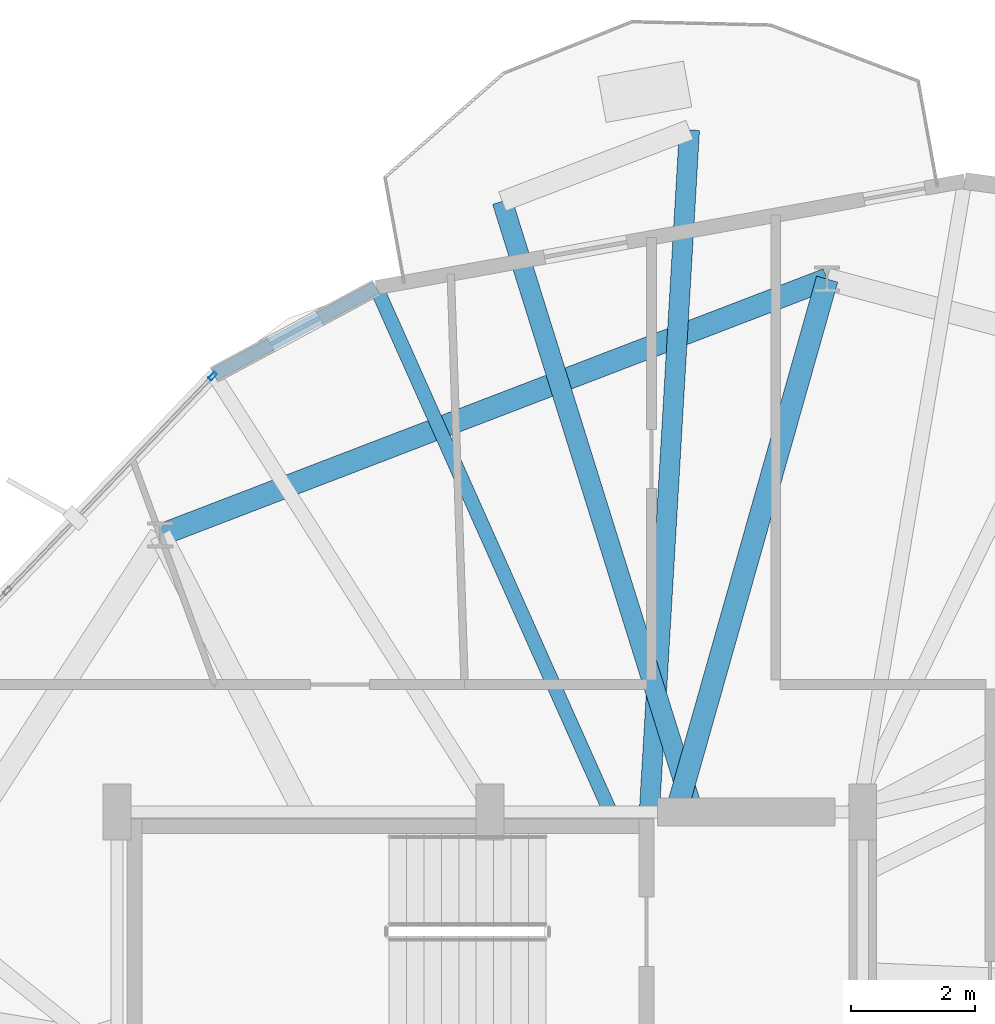
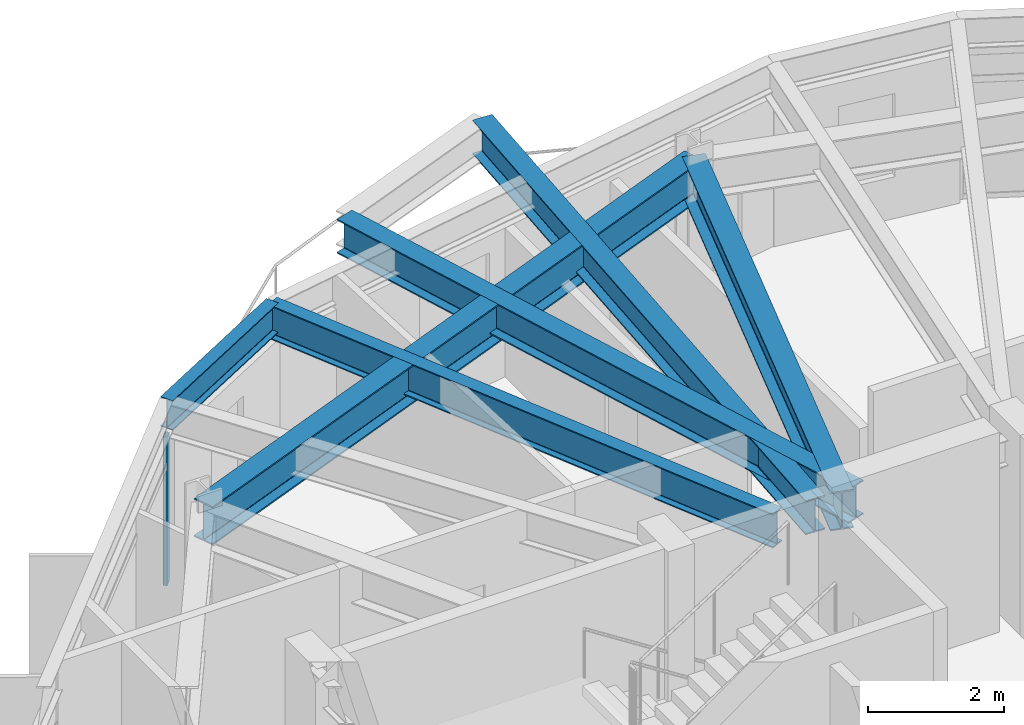
# One storey, part 17 of 27: 6 beams, 1 member, 1 element without a shape of its own.
"""IFC4 building model written with IfcOpenShell, lengths in metres."""

import ifcopenshell
import ifcopenshell.guid

model = None  # the IFC model being written
_history = None  # IfcOwnerHistory: only IFC2X3 demands one
_inside = {}  # id of a spatial element -> (the spatial element, [elements in it])
_under = {}  # id of a project, library or spatial element -> (it, [spatial elements below it])
_declared = {}  # id of a project -> (the project, [libraries it declares])
_typed = {}  # id of a type object -> (the type object, [elements of that type])
_made_of = {}  # id of a material, layer set ... -> (it, [elements and type objects made of it])


def new_model(schema):
    """Start an empty IFC model of exactly this schema.

    Asked for "IFC4X3", IfcOpenShell would pick the latest addendum, in which some entities
    have other attributes; the version numbers below select the first issue.
    IFC2X3 requires an IfcOwnerHistory on every rooted entity: one is made here for all.
    """
    global model, _history
    if schema == "IFC4X3":
        model = ifcopenshell.file(schema_version=(4, 3, 0, 0))
    else:
        model = ifcopenshell.file(schema=schema)
    _inside.clear()
    _under.clear()
    _declared.clear()
    _typed.clear()
    _made_of.clear()
    _history = None
    if model.schema == "IFC2X3":
        org = make("IfcOrganization", Name="unknown")
        user = make(
            "IfcPersonAndOrganization",
            ThePerson=make("IfcPerson", FamilyName="unknown"),
            TheOrganization=org,
        )
        app = make(
            "IfcApplication",
            ApplicationDeveloper=org,
            Version="unknown",
            ApplicationFullName="unknown",
            ApplicationIdentifier="unknown",
        )
        _history = make(
            "IfcOwnerHistory",
            OwningUser=user,
            OwningApplication=app,
            ChangeAction="ADDED",
            CreationDate=0,
        )
    return model


def make(cls, **values):
    """One entity of the class cls with the attributes given. An attribute that is None is left unset."""
    return model.create_entity(
        cls, **{name: value for name, value in values.items() if value is not None}
    )


def rooted(cls, **values):
    """An entity with a GlobalId (a new one), such as an element, a storey or a relation."""
    return make(cls, GlobalId=ifcopenshell.guid.new(), OwnerHistory=_history, **values)


def si_unit(unit_type, name, prefix=None):
    """IfcSIUnit, for example si_unit("LENGTHUNIT", "METRE", prefix="MILLI")."""
    return make("IfcSIUnit", UnitType=unit_type, Prefix=prefix, Name=name)


def assignment(units):
    """IfcUnitAssignment: the units of a project."""
    return None if units is None else make("IfcUnitAssignment", Units=units)


def point(xyz):
    """IfcCartesianPoint."""
    return None if xyz is None else make("IfcCartesianPoint", Coordinates=xyz)


def direction(xyz):
    """IfcDirection."""
    return None if xyz is None else make("IfcDirection", DirectionRatios=xyz)


def frame(location, z_axis=None, x_axis=None):
    """IfcAxis2Placement3D, a coordinate frame: its origin and axes. An axis left out is left unset."""
    return make(
        "IfcAxis2Placement3D",
        Location=point(location),
        Axis=direction(z_axis),
        RefDirection=direction(x_axis),
    )


def frame_2d(location, x_axis=None):
    """IfcAxis2Placement2D, a coordinate frame in the plane: its origin and x axis."""
    return make(
        "IfcAxis2Placement2D", Location=point(location), RefDirection=direction(x_axis)
    )


def origin():
    """The frame at (0, 0, 0) with its axes left unset."""
    return frame((0.0, 0.0, 0.0))


def origin_2d():
    """The frame at (0, 0) in the plane with its x axis left unset."""
    return frame_2d((0.0, 0.0))


def place(relative_to, where):
    """IfcLocalPlacement: puts the frame where relative to a parent placement (None: the world)."""
    return make(
        "IfcLocalPlacement", PlacementRelTo=relative_to, RelativePlacement=where
    )


def context(
    kind, dimensions, precision=None, world=None, true_north=None, identifier=None
):
    """IfcGeometricRepresentationContext, for example the 3D "Model" context."""
    return make(
        "IfcGeometricRepresentationContext",
        ContextIdentifier=identifier,
        ContextType=kind,
        CoordinateSpaceDimension=dimensions,
        Precision=precision,
        WorldCoordinateSystem=world,
        TrueNorth=true_north,
    )


def subcontext(parent, identifier, kind, view, scale=None):
    """IfcGeometricRepresentationSubContext, for example "Body" below "Model"."""
    return make(
        "IfcGeometricRepresentationSubContext",
        ContextIdentifier=identifier,
        ContextType=kind,
        ParentContext=parent,
        TargetScale=scale,
        TargetView=view,
    )


def project(units=None, contexts=None):
    """IfcProject with its units and contexts."""
    return rooted(
        "IfcProject",
        Name="project",
        RepresentationContexts=contexts,
        UnitsInContext=assignment(units),
    )


def spatial(cls, under=None, at=None, **own):
    """A site, building, storey or space (cls), placed at a placement, below another one or the project."""
    s = rooted(cls, ObjectPlacement=at, **own)
    if under is not None:
        _under.setdefault(under.id(), (under, []))[1].append(s)
    return s


def profile(cls, at=None, kind="AREA", **sizes):
    """A parametric profile (cls). Its sizes go by their IFC names, for example OverallWidth=200.0."""
    return make(cls, ProfileType=kind, Position=at, **sizes)


def hollow_rectangle(**sizes):
    """IfcRectangleHollowProfileDef."""
    return profile("IfcRectangleHollowProfileDef", **sizes)


def i_section(**sizes):
    """IfcIShapeProfileDef."""
    return profile("IfcIShapeProfileDef", **sizes)


def extrude(swept, where, along, depth):
    """IfcExtrudedAreaSolid: the profile swept, set in the frame where, extruded along a direction by depth."""
    return make(
        "IfcExtrudedAreaSolid",
        SweptArea=swept,
        Position=where,
        ExtrudedDirection=direction(along),
        Depth=depth,
    )


def shape(context_of_items, identifier, shape_type, items):
    """IfcShapeRepresentation: the items that make up one representation, for example the "Body"."""
    return make(
        "IfcShapeRepresentation",
        ContextOfItems=context_of_items,
        RepresentationIdentifier=identifier,
        RepresentationType=shape_type,
        Items=items,
    )


def material(Name=None, Category=None):
    """IfcMaterial."""
    return make("IfcMaterial", Name=Name, Category=Category)


def layer(
    of_material, thickness, ventilated=None, Name=None, Category=None, Priority=None
):
    """IfcMaterialLayer: one layer of a wall or slab, of a material (None: an air gap)."""
    return make(
        "IfcMaterialLayer",
        Material=of_material,
        LayerThickness=thickness,
        IsVentilated=ventilated,
        Name=Name,
        Category=Category,
        Priority=Priority,
    )


def layer_set(layers, Name=None):
    """IfcMaterialLayerSet."""
    return make("IfcMaterialLayerSet", MaterialLayers=layers, LayerSetName=Name)


def material_profile(
    of_material, cross_section, Name=None, Category=None, Priority=None
):
    """IfcMaterialProfile: a cross section and its material."""
    return make(
        "IfcMaterialProfile",
        Name=Name,
        Material=of_material,
        Profile=cross_section,
        Priority=Priority,
        Category=Category,
    )


def profile_set(profiles, Name=None, composite=None):
    """IfcMaterialProfileSet."""
    return make(
        "IfcMaterialProfileSet",
        Name=Name,
        MaterialProfiles=profiles,
        CompositeProfile=composite,
    )


def made_of(thing, what):
    """Note that an element or type object is made of a material, layer set ...; save() writes the relation."""
    if what is not None:
        _made_of.setdefault(what.id(), (what, []))[1].append(thing)
    return thing


def type_object(cls, material=None, **own):
    """A type object (cls), such as IfcWallType, which elements share."""
    return made_of(rooted(cls, **own), material)


def element(
    cls,
    number,
    at=None,
    inside=None,
    cuts=None,
    type_object=None,
    material=None,
    context=None,
    identifier="Body",
    shape_type=None,
    held_by="IfcProductDefinitionShape",
    body=None,
    shapes=None,
    **own,
):
    """One element of the class cls, such as IfcWall. Its Tag is "e" and its number.

    at: its placement. inside: the storey or other place that contains it. cuts: it is an
    opening in that element (IfcRelVoidsElement). A single representation is given by context,
    identifier, shape_type and body (its items); several are given by shapes. held_by: the class
    of the entity that holds the representations. save() writes the other relations.
    """
    e = rooted(cls, Tag="e%d" % number, ObjectPlacement=at, **own)
    if body is not None:
        shapes = [shape(context, identifier, shape_type, body)]
    if shapes is not None:
        e.Representation = make(held_by, Representations=shapes)
    if inside is not None:
        _inside.setdefault(inside.id(), (inside, []))[1].append(e)
    if cuts is not None:
        rooted(
            "IfcRelVoidsElement", RelatingBuildingElement=cuts, RelatedOpeningElement=e
        )
    if type_object is not None:
        _typed.setdefault(type_object.id(), (type_object, []))[1].append(e)
    return made_of(e, material)


def aggregate(whole, parts):
    """IfcRelAggregates: a whole, such as a stair, and the parts it consists of."""
    return rooted("IfcRelAggregates", RelatingObject=whole, RelatedObjects=parts)


def save(model, path):
    """Write the relations noted so far, then the file.

    IfcRelAggregates (storeys below a building ...), IfcRelContainedInSpatialStructure (elements
    in a storey), IfcRelDefinesByType, IfcRelAssociatesMaterial and IfcRelDeclares: one each for
    every whole, place, type object, material and project.
    """
    for whole, parts in _under.values():
        aggregate(whole, parts)
    for where, things in _inside.values():
        rooted(
            "IfcRelContainedInSpatialStructure",
            RelatedElements=things,
            RelatingStructure=where,
        )
    for kind, things in _typed.values():
        rooted("IfcRelDefinesByType", RelatedObjects=things, RelatingType=kind)
    for what, things in _made_of.values():
        rooted("IfcRelAssociatesMaterial", RelatedObjects=things, RelatingMaterial=what)
    for by, libraries in _declared.values():
        rooted("IfcRelDeclares", RelatingContext=by, RelatedDefinitions=libraries)
    model.write(path)


model = new_model("IFC4")

# Units and contexts
model_context = context("Model", 3, precision=1e-05, world=origin(), true_north=direction((0.0, 1.0)))
body_context = subcontext(model_context, "Body", "Model", "MODEL_VIEW")
ifc_project = project(units=[si_unit("LENGTHUNIT", "METRE"), si_unit("AREAUNIT", "SQUARE_METRE"), si_unit("VOLUMEUNIT", "CUBIC_METRE"), si_unit("PLANEANGLEUNIT", "RADIAN"), si_unit("MASSUNIT", "GRAM", prefix="KILO")], contexts=[model_context])

# Site, building, storey
site_placement = place(None, origin())
site = spatial("IfcSite", under=ifc_project, at=site_placement, CompositionType="ELEMENT")
building_placement = place(site_placement, origin())
building = spatial("IfcBuilding", under=site, at=building_placement, Name="Soratama Intermodal Tower", CompositionType="ELEMENT")
storey_placement = place(building_placement, frame((0.0, 0.0, 208.60009765625)))
storey = spatial("IfcBuildingStorey", under=building, at=storey_placement, Name="L52", CompositionType="ELEMENT", Elevation=208.60009765625)

# Beams
ifc_material_1 = material(Name="Structural steel ASTM A992 Grade 50", Category="steel")
ifc_material_profile_1 = material_profile(ifc_material_1, i_section(OverallWidth=0.324951171875, OverallDepth=0.615966796875, WebThickness=0.013916015625, FlangeThickness=0.021484375, FilletRadius=0.013916015625, at=origin_2d()), Name="W24X117")
ifc_profile_set_1 = profile_set([ifc_material_profile_1], Name="Structural steel ASTM A992 Grade 50")
beam_type_1 = type_object("IfcBeamType", Name="BM-CANT-W24X117", PredefinedType="BEAM", material=ifc_profile_set_1)
beam_1_placement = place(storey_placement, frame((41.1689453125, 35.0400390625, 2.991943359375), z_axis=(0.058607066571, 0.998281128615, 0.0), x_axis=(-0.998281128615, 0.058607066571, 0.0)))
element("IfcBeam", 1, at=beam_1_placement, inside=storey, type_object=beam_type_1, Name="BM-L52-CANT-1-1", PredefinedType="BEAM", context=body_context, shape_type="SweptSolid", body=[
    extrude(i_section(OverallWidth=0.324951171875, OverallDepth=0.615966796875, WebThickness=0.013916015625, FlangeThickness=0.021484375, FilletRadius=0.013916015625, at=origin_2d()), origin(), (0.0, 0.0, 1.0), 10.955810546875),
])
beam_2_placement = place(storey_placement, frame((41.860107421875, 35.0380859375, 2.991943359375), z_axis=(-0.298482379779, 0.954415144977, 0.0), x_axis=(-0.954415144977, -0.298482379779, 0.0)))
element("IfcBeam", 2, at=beam_2_placement, inside=storey, type_object=beam_type_1, Name="BM-L52-CANT-1-2", PredefinedType="BEAM", context=body_context, shape_type="SweptSolid", body=[
    extrude(i_section(OverallWidth=0.324951171875, OverallDepth=0.615966796875, WebThickness=0.013916015625, FlangeThickness=0.021484375, FilletRadius=0.013916015625, at=origin_2d()), origin(), (0.0, 0.0, 1.0), 10.25537109375),
])
ifc_material_2 = material(Name="Structural steel ASTM A992 Grade 50", Category="steel")
ifc_material_profile_2 = material_profile(ifc_material_2, i_section(OverallWidth=0.35498046875, OverallDepth=0.695068359375, WebThickness=0.015380859375, FlangeThickness=0.02490234375, FilletRadius=0.01611328125, at=origin_2d()), Name="W27X146")
ifc_profile_set_2 = profile_set([ifc_material_profile_2], Name="Structural steel ASTM A992 Grade 50")
beam_type_2 = type_object("IfcBeamType", Name="BM-RING-W27X146", PredefinedType="BEAM", material=ifc_profile_set_2)
beam_3_placement = place(storey_placement, frame((44.027099609375, 43.574951171875, 2.952392578125), z_axis=(-0.933575304305, -0.358381293026, 0.0), x_axis=(0.358381293026, -0.933575304305, 0.0)))
element("IfcBeam", 3, at=beam_3_placement, inside=storey, type_object=beam_type_2, Name="BM-L52-RING-03", PredefinedType="BEAM", context=body_context, shape_type="SweptSolid", body=[
    extrude(i_section(OverallWidth=0.35498046875, OverallDepth=0.695068359375, WebThickness=0.015380859375, FlangeThickness=0.02490234375, FilletRadius=0.01611328125, at=origin_2d()), origin(), (0.0, 0.0, 1.0), 11.495849609375),
])
beam_4_placement = place(storey_placement, frame((41.60009765625, 35.0, 2.952392578125), z_axis=(0.272335865412, 0.96220225338, 0.0), x_axis=(-0.96220225338, 0.272335865412, 0.0)))
element("IfcBeam", 4, at=beam_4_placement, inside=storey, type_object=beam_type_2, Name="BM-L52-RAD-03", PredefinedType="BEAM", context=body_context, shape_type="SweptSolid", body=[
    extrude(i_section(OverallWidth=0.35498046875, OverallDepth=0.695068359375, WebThickness=0.015380859375, FlangeThickness=0.02490234375, FilletRadius=0.01611328125, at=origin_2d()), origin(), (0.0, 0.0, 1.0), 8.911865234375),
])
ifc_material_3 = material(Name="Structural steel ASTM A992 Grade 50", Category="steel")
ifc_material_profile_3 = material_profile(ifc_material_3, i_section(OverallWidth=0.2099609375, OverallDepth=0.537109375, WebThickness=0.010986328125, FlangeThickness=0.017333984375, FilletRadius=0.012939453125, at=origin_2d()), Name="W21X68")
ifc_profile_set_3 = profile_set([ifc_material_profile_3], Name="Structural steel ASTM A992 Grade 50")
beam_type_3 = type_object("IfcBeamType", Name="BM-SPN-W21X68", PredefinedType="SPANDREL", material=ifc_profile_set_3)
beam_5_placement = place(storey_placement, frame((36.77197265625, 43.43896484375, 3.031494140625), z_axis=(-0.880888313693, -0.473324179394, 0.0), x_axis=(0.473324179394, -0.880888313693, 0.0)))
element("IfcBeam", 5, at=beam_5_placement, inside=storey, type_object=beam_type_3, Name="BS-L52-CRN02", PredefinedType="SPANDREL", context=body_context, shape_type="SweptSolid", body=[
    extrude(i_section(OverallWidth=0.2099609375, OverallDepth=0.537109375, WebThickness=0.010986328125, FlangeThickness=0.017333984375, FilletRadius=0.012939453125, at=origin_2d()), origin(), (0.0, 0.0, 1.0), 2.96630859375),
])
ifc_material_4 = material(Name="Structural steel ASTM A992 Grade 50", Category="steel")
ifc_material_profile_4 = material_profile(ifc_material_4, i_section(OverallWidth=0.22900390625, OverallDepth=0.612060546875, WebThickness=0.011962890625, FlangeThickness=0.01953125, FilletRadius=0.012939453125, at=origin_2d()), Name="W24X84")
ifc_profile_set_4 = profile_set([ifc_material_profile_4], Name="Structural steel ASTM A992 Grade 50")
beam_type_4 = type_object("IfcBeamType", Name="BM-TIE-W24X84", PredefinedType="BEAM", material=ifc_profile_set_4)
beam_6_placement = place(storey_placement, frame((40.52197265625, 35.037109375, 2.993896484375), z_axis=(-0.407575770894, 0.913171391898, 0.0), x_axis=(-0.913171391898, -0.407575770894, 0.0)))
element("IfcBeam", 6, at=beam_6_placement, inside=storey, type_object=beam_type_4, Name="BM-L52-TIE1-02", PredefinedType="BEAM", context=body_context, shape_type="SweptSolid", body=[
    extrude(i_section(OverallWidth=0.22900390625, OverallDepth=0.612060546875, WebThickness=0.011962890625, FlangeThickness=0.01953125, FilletRadius=0.012939453125, at=origin_2d()), origin(), (0.0, 0.0, 1.0), 9.20068359375),
])

# Curtain wall, member
ifc_material_5 = material(Name="Double-glazed aluminium curtain wall", Category="aluminium")
ifc_layer = layer(ifc_material_5, 0.159912109375)
ifc_layer_set = layer_set([ifc_layer], Name="Double-glazed aluminium curtain wall")
curtain_wall_type = type_object("IfcCurtainWallType", Name="CW-SYS-5", PredefinedType="NOTDEFINED", material=ifc_layer_set)
curtain_wall_placement = place(storey_placement, origin())
curtain_wall = element("IfcCurtainWall", 7, at=curtain_wall_placement, inside=storey, type_object=curtain_wall_type, Name="L52 Faceted Curtain Wall F03", PredefinedType="NOTDEFINED")
ifc_material_6 = material(Name="Anodised aluminium AA 6063-T6", Category="aluminium")
ifc_material_profile_5 = material_profile(ifc_material_6, hollow_rectangle(XDim=0.06494140625, YDim=0.139892578125, WallThickness=0.0048828125, InnerFilletRadius=0.0048828125, OuterFilletRadius=0.010009765625, at=origin_2d()), Name="CWM140X65X5")
ifc_profile_set_5 = profile_set([ifc_material_profile_5], Name="Anodised aluminium AA 6063-T6")
member_type = type_object("IfcMemberType", Name="MT-CWM-5", PredefinedType="MULLION", material=ifc_profile_set_5)
member_placement = place(storey_placement, frame((34.138427734375, 42.012939453125, 0.0), z_axis=(0.0, 0.0, 1.0), x_axis=(0.72248523177, -0.691386353549, 0.0)))
member = element("IfcMember", 8, at=member_placement, type_object=member_type, Name="CW-5 mullion 1", PredefinedType="MULLION", context=body_context, shape_type="SweptSolid", body=[
    extrude(hollow_rectangle(XDim=0.06494140625, YDim=0.139892578125, WallThickness=0.0048828125, InnerFilletRadius=0.0048828125, OuterFilletRadius=0.010009765625, at=origin_2d()), origin(), (0.0, 0.0, 1.0), 2.678955078125),
])
aggregate(curtain_wall, [member])

save(model, "model.ifc")
